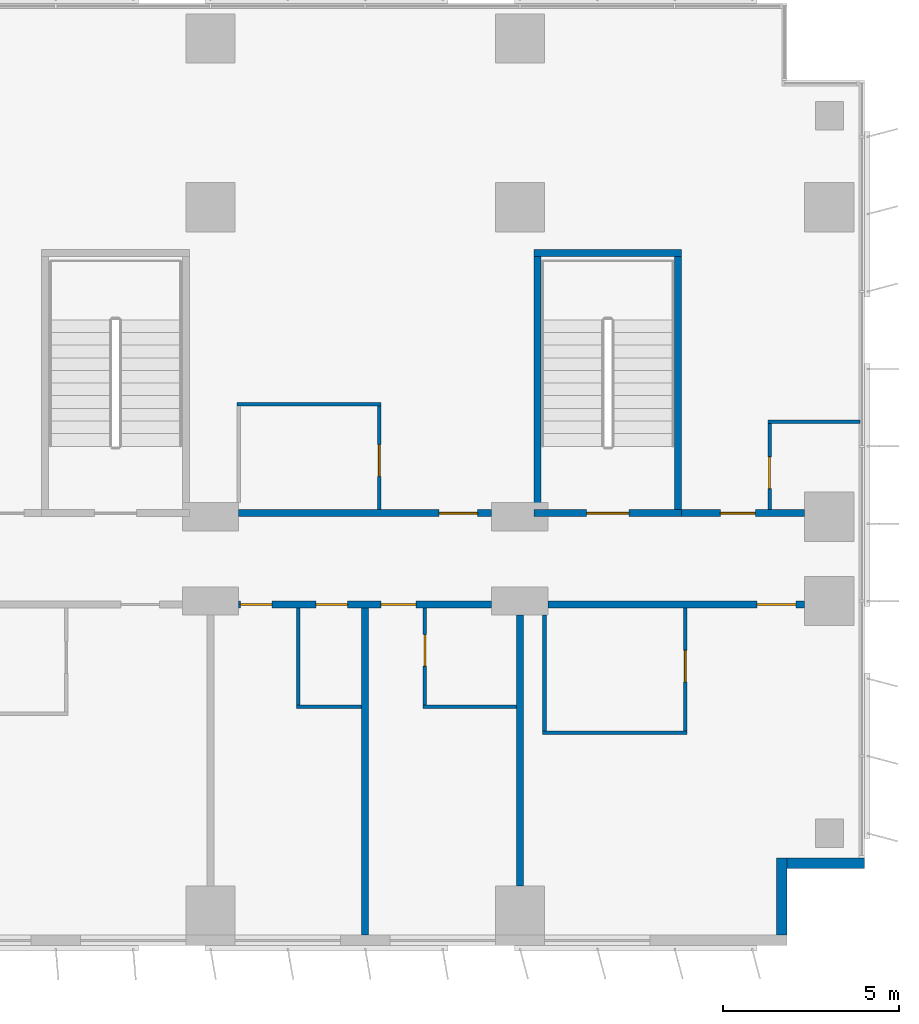
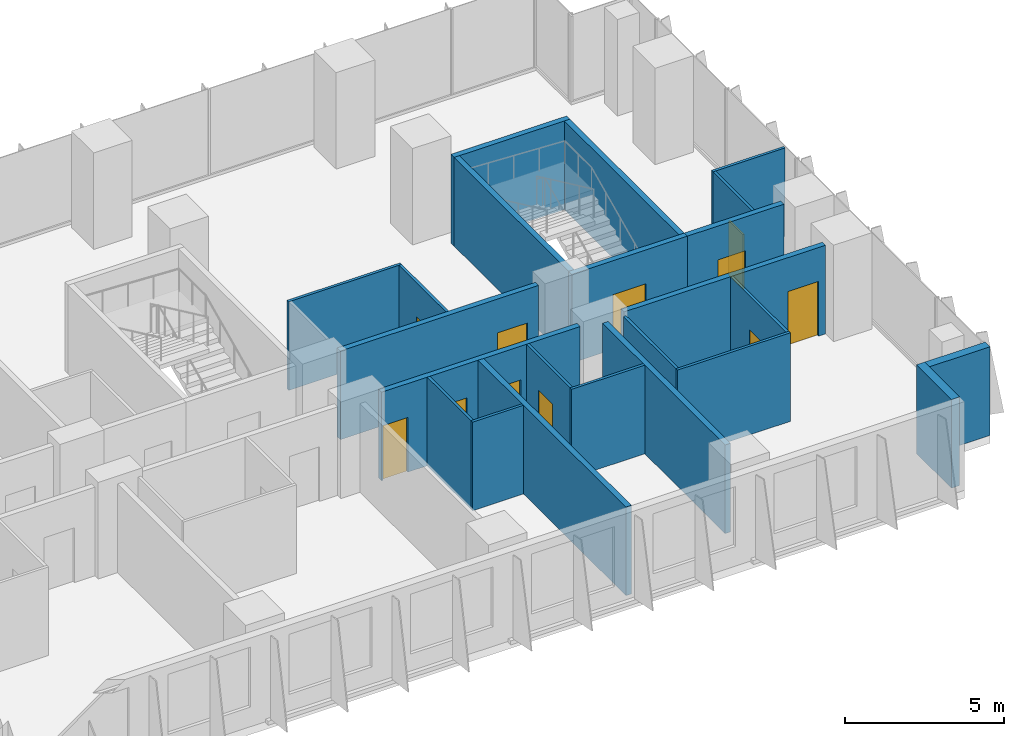
# One storey, part 18 of 24: 23 walls, 11 doors, 11 openings.
"""IFC4 building model written with IfcOpenShell, lengths in metres."""

from ifc_helpers import new_model, si_unit, direction, frame, frame_2d, origin, place, context, subcontext, project, spatial, rectangle, extrude, material, layer, layer_set, type_object, element, fill, save


model = new_model("IFC4")

# Units and contexts
model_context = context("Model", 3, precision=1e-05, world=origin(), true_north=direction((0.0, 1.0)))
body_context = subcontext(model_context, "Body", "Model", "MODEL_VIEW")
ifc_project = project(units=[si_unit("LENGTHUNIT", "METRE"), si_unit("AREAUNIT", "SQUARE_METRE"), si_unit("VOLUMEUNIT", "CUBIC_METRE"), si_unit("PLANEANGLEUNIT", "RADIAN"), si_unit("MASSUNIT", "GRAM", prefix="KILO")], contexts=[model_context])

# Site, building, storey
site_placement = place(None, origin())
site = spatial("IfcSite", under=ifc_project, at=site_placement, CompositionType="ELEMENT")
building_placement = place(site_placement, origin())
building = spatial("IfcBuilding", under=site, at=building_placement, Name="Kemantara Hotel Tower", CompositionType="ELEMENT")
storey_placement = place(building_placement, frame((0.0, 0.0, 45.10009765625)))
storey = spatial("IfcBuildingStorey", under=building, at=storey_placement, Name="L09", CompositionType="ELEMENT", Elevation=45.10009765625)

# Walls
ifc_material_1 = material(Name="Bronze anodised aluminium cladding on insulated steel stud wall", Category="steel")
ifc_layer_1 = layer(ifc_material_1, 0.300048828125)
ifc_layer_set_1 = layer_set([ifc_layer_1], Name="Bronze anodised aluminium cladding on insulated steel stud wall")
wall_type_1 = type_object("IfcWallType", Name="BRONZE METAL-CLAD EXTERNAL WALL 300", PredefinedType="STANDARD", material=ifc_layer_set_1)
for number, where, z_axis, x_axis, name in (
    (1, (78.85009765625, 0.300048828125, 0.0), (0.0, 0.0, 1.0), (0.0, 1.0, 0.0), "EXTERNAL WALL L09 T1-R02"),
    (2, (79.0, 2.35009765625, 0.0), (0.0, 0.0, 1.0), (1.0, 0.0, 0.0), "EXTERNAL WALL L09 T1-R03"),
):
    element("IfcWall", number, at=place(storey_placement, frame(where, z_axis=z_axis, x_axis=x_axis)), inside=storey, type_object=wall_type_1, Name=name, PredefinedType="STANDARD", context=body_context, shape_type="SweptSolid", body=[
        extrude(rectangle(XDim=2.199951171875, YDim=0.300048828125, at=frame_2d((1.10009765625, 0.0))), origin(), (0.0, 0.0, 1.0), 3.39990234375),
    ])

# Wall, openings, doors
ifc_material_2 = material(Name="Gypsum board partition, steel studs and mineral wool, 200 mm", Category="steel")
ifc_layer_2 = layer(ifc_material_2, 0.199951171875)
ifc_layer_set_2 = layer_set([ifc_layer_2], Name="Gypsum board partition, steel studs and mineral wool, 200 mm")
wall_type_2 = type_object("IfcWallType", Name="CORRIDOR WALL 200", PredefinedType="PARTITIONING", material=ifc_layer_set_2)
wall_1_placement = place(storey_placement, frame((70.599853515625, 9.699951171875, 0.0), z_axis=(0.0, 0.0, 1.0), x_axis=(-1.0, 0.0, 0.0)))
wall_1 = element("IfcWall", 3, at=wall_1_placement, inside=storey, type_object=wall_type_2, Name="CORRIDOR WALL 200 003", PredefinedType="PARTITIONING", context=body_context, shape_type="SweptSolid", body=[
    extrude(rectangle(XDim=7.19970703125, YDim=0.199951171875, at=frame_2d((3.599853515625, 0.0))), origin(), (0.0, 0.0, 1.0), 3.39990234375),
])
opening_1_placement = place(wall_1_placement, frame((6.25, 0.0, 0.0)))
opening_1 = element("IfcOpeningElement", 4, at=opening_1_placement, cuts=wall_1, Name="Opening F02-005", PredefinedType="OPENING", context=body_context, shape_type="SweptSolid", body=[
    extrude(rectangle(XDim=0.89990234375, YDim=2.10009765625, at=frame_2d((0.449951171875, 1.050048828125))), frame((0.0, 0.10986328125, 0.0), z_axis=(0.0, -1.0, 0.0), x_axis=(1.0, 0.0, 0.0)), (0.0, 0.0, 1.0), 0.219970703125),
])
opening_2_placement = place(wall_1_placement, frame((4.099853515625, 0.0, 0.0)))
opening_2 = element("IfcOpeningElement", 5, at=opening_2_placement, cuts=wall_1, Name="Opening F02-006", PredefinedType="OPENING", context=body_context, shape_type="SweptSolid", body=[
    extrude(rectangle(XDim=0.89990234375, YDim=2.10009765625, at=frame_2d((0.449951171875, 1.050048828125))), frame((0.0, 0.10986328125, 0.0), z_axis=(0.0, -1.0, 0.0), x_axis=(1.0, 0.0, 0.0)), (0.0, 0.0, 1.0), 0.219970703125),
])
opening_3_placement = place(wall_1_placement, frame((2.14990234375, 0.0, 0.0)))
opening_3 = element("IfcOpeningElement", 6, at=opening_3_placement, cuts=wall_1, Name="Opening F02-007", PredefinedType="OPENING", context=body_context, shape_type="SweptSolid", body=[
    extrude(rectangle(XDim=1.0, YDim=2.10009765625, at=frame_2d((0.5, 1.050048828125))), frame((0.0, 0.10986328125, 0.0), z_axis=(0.0, -1.0, 0.0), x_axis=(1.0, 0.0, 0.0)), (0.0, 0.0, 1.0), 0.219970703125),
])
ifc_material_3 = material(Name="Hardwood veneer door leaf with steel frame", Category="steel")
door_type_1 = type_object("IfcDoorType", Name="GUEST ROOM DOOR 1000 X 2100 FD30S", OperationType="NOTDEFINED", PredefinedType="DOOR", material=ifc_material_3)
door_1_placement = place(opening_3_placement, origin())
door_1 = element("IfcDoor", 7, at=door_1_placement, inside=storey, type_object=door_type_1, Name="GUEST ROOM DOOR F02-007", OperationType="SINGLE_SWING_RIGHT", OverallHeight=2.10009765625, OverallWidth=1.0, PredefinedType="DOOR", context=body_context, shape_type="SweptSolid", body=[
    extrude(rectangle(XDim=1.0, YDim=2.10009765625, at=frame_2d((0.5, 1.050048828125))), frame((0.0, 0.02490234375, 0.0), z_axis=(0.0, -1.0, 0.0), x_axis=(1.0, 0.0, 0.0)), (0.0, 0.0, 1.0), 0.050048828125),
])
fill(opening_3, door_1)
ifc_material_4 = material(Name="Steel door leaf with steel frame", Category="steel")
door_type_2 = type_object("IfcDoorType", Name="SERVICE ROOM DOOR 900 X 2100 FD60", OperationType="NOTDEFINED", PredefinedType="DOOR", material=ifc_material_4)
door_2_placement = place(opening_1_placement, origin())
door_2 = element("IfcDoor", 8, at=door_2_placement, inside=storey, type_object=door_type_2, Name="SERVICE ROOM DOOR F02-005", OperationType="SINGLE_SWING_RIGHT", OverallHeight=2.10009765625, OverallWidth=0.89990234375, PredefinedType="DOOR", context=body_context, shape_type="SweptSolid", body=[
    extrude(rectangle(XDim=0.89990234375, YDim=2.10009765625, at=frame_2d((0.449951171875, 1.050048828125))), frame((0.0, 0.02490234375, 0.0), z_axis=(0.0, -1.0, 0.0), x_axis=(1.0, 0.0, 0.0)), (0.0, 0.0, 1.0), 0.050048828125),
])
fill(opening_1, door_2)
door_3_placement = place(opening_2_placement, origin())
door_3 = element("IfcDoor", 9, at=door_3_placement, inside=storey, type_object=door_type_2, Name="SERVICE ROOM DOOR F02-006", OperationType="SINGLE_SWING_LEFT", OverallHeight=2.10009765625, OverallWidth=0.89990234375, PredefinedType="DOOR", context=body_context, shape_type="SweptSolid", body=[
    extrude(rectangle(XDim=0.89990234375, YDim=2.10009765625, at=frame_2d((0.449951171875, 1.050048828125))), frame((0.0, 0.02490234375, 0.0), z_axis=(0.0, -1.0, 0.0), x_axis=(1.0, 0.0, 0.0)), (0.0, 0.0, 1.0), 0.050048828125),
])
fill(opening_2, door_3)

# Wall, opening, door
wall_2_placement = place(storey_placement, frame((79.5, 9.699951171875, 0.0), z_axis=(0.0, 0.0, 1.0), x_axis=(-1.0, 0.0, 0.0)))
wall_2 = element("IfcWall", 10, at=wall_2_placement, inside=storey, type_object=wall_type_2, Name="CORRIDOR WALL 200 004", PredefinedType="PARTITIONING", context=body_context, shape_type="SweptSolid", body=[
    extrude(rectangle(XDim=7.2998046875, YDim=0.199951171875, at=frame_2d((3.64990234375, 0.0))), origin(), (0.0, 0.0, 1.0), 3.39990234375),
])
opening_4_placement = place(wall_2_placement, frame((0.25, 0.0, 0.0)))
opening_4 = element("IfcOpeningElement", 11, at=opening_4_placement, cuts=wall_2, Name="Opening F02-009", PredefinedType="OPENING", context=body_context, shape_type="SweptSolid", body=[
    extrude(rectangle(XDim=1.10009765625, YDim=2.10009765625, at=frame_2d((0.550048828125, 1.050048828125))), frame((0.0, 0.10986328125, 0.0), z_axis=(0.0, -1.0, 0.0), x_axis=(1.0, 0.0, 0.0)), (0.0, 0.0, 1.0), 0.219970703125),
])
door_type_3 = type_object("IfcDoorType", Name="SUITE ENTRANCE DOOR 1100 X 2100 FD30S", OperationType="NOTDEFINED", PredefinedType="DOOR", material=ifc_material_3)
door_4_placement = place(opening_4_placement, origin())
door_4 = element("IfcDoor", 12, at=door_4_placement, inside=storey, type_object=door_type_3, Name="SUITE ENTRANCE DOOR F02-009", OperationType="SINGLE_SWING_LEFT", OverallHeight=2.10009765625, OverallWidth=1.10009765625, PredefinedType="DOOR", context=body_context, shape_type="SweptSolid", body=[
    extrude(rectangle(XDim=1.10009765625, YDim=2.10009765625, at=frame_2d((0.550048828125, 1.050048828125))), frame((0.0, 0.02490234375, 0.0), z_axis=(0.0, -1.0, 0.0), x_axis=(1.0, 0.0, 0.0)), (0.0, 0.0, 1.0), 0.050048828125),
])
fill(opening_4, door_4)

wall_3_placement = place(storey_placement, frame((63.400146484375, 12.300048828125, 0.0), z_axis=(0.0, 0.0, 1.0), x_axis=(1.0, 0.0, 0.0)))
wall_3 = element("IfcWall", 13, at=wall_3_placement, inside=storey, type_object=wall_type_2, Name="CORRIDOR WALL 200 016", PredefinedType="PARTITIONING", context=body_context, shape_type="SweptSolid", body=[
    extrude(rectangle(XDim=7.19970703125, YDim=0.199951171875, at=frame_2d((3.599853515625, 0.0))), origin(), (0.0, 0.0, 1.0), 3.39990234375),
])
opening_5_placement = place(wall_3_placement, frame((5.699951171875, 0.0, 0.0)))
opening_5 = element("IfcOpeningElement", 14, at=opening_5_placement, cuts=wall_3, Name="Opening F02-021", PredefinedType="OPENING", context=body_context, shape_type="SweptSolid", body=[
    extrude(rectangle(XDim=1.10009765625, YDim=2.10009765625, at=frame_2d((0.550048828125, 1.050048828125))), frame((0.0, 0.10986328125, 0.0), z_axis=(0.0, -1.0, 0.0), x_axis=(1.0, 0.0, 0.0)), (0.0, 0.0, 1.0), 0.219970703125),
])
door_5_placement = place(opening_5_placement, origin())
door_5 = element("IfcDoor", 15, at=door_5_placement, inside=storey, type_object=door_type_3, Name="SUITE ENTRANCE DOOR F02-021", OperationType="SINGLE_SWING_RIGHT", OverallHeight=2.10009765625, OverallWidth=1.10009765625, PredefinedType="DOOR", context=body_context, shape_type="SweptSolid", body=[
    extrude(rectangle(XDim=1.10009765625, YDim=2.10009765625, at=frame_2d((0.550048828125, 1.050048828125))), frame((0.0, 0.02490234375, 0.0), z_axis=(0.0, -1.0, 0.0), x_axis=(1.0, 0.0, 0.0)), (0.0, 0.0, 1.0), 0.050048828125),
])
fill(opening_5, door_5)

wall_4_placement = place(storey_placement, frame((76.0, 12.300048828125, 0.0), z_axis=(0.0, 0.0, 1.0), x_axis=(1.0, 0.0, 0.0)))
wall_4 = element("IfcWall", 16, at=wall_4_placement, inside=storey, type_object=wall_type_2, Name="CORRIDOR WALL 200 017", PredefinedType="PARTITIONING", context=body_context, shape_type="SweptSolid", body=[
    extrude(rectangle(XDim=3.5, YDim=0.199951171875, at=frame_2d((1.75, 0.0))), origin(), (0.0, 0.0, 1.0), 3.39990234375),
])
opening_6_placement = place(wall_4_placement, frame((1.10009765625, 0.0, 0.0)))
opening_6 = element("IfcOpeningElement", 17, at=opening_6_placement, cuts=wall_4, Name="Opening F02-023", PredefinedType="OPENING", context=body_context, shape_type="SweptSolid", body=[
    extrude(rectangle(XDim=1.0, YDim=2.10009765625, at=frame_2d((0.5, 1.050048828125))), frame((0.0, 0.10986328125, 0.0), z_axis=(0.0, -1.0, 0.0), x_axis=(1.0, 0.0, 0.0)), (0.0, 0.0, 1.0), 0.219970703125),
])
door_6_placement = place(opening_6_placement, origin())
door_6 = element("IfcDoor", 18, at=door_6_placement, inside=storey, type_object=door_type_1, Name="GUEST ROOM DOOR F02-023", OperationType="SINGLE_SWING_LEFT", OverallHeight=2.10009765625, OverallWidth=1.0, PredefinedType="DOOR", context=body_context, shape_type="SweptSolid", body=[
    extrude(rectangle(XDim=1.0, YDim=2.10009765625, at=frame_2d((0.5, 1.050048828125))), frame((0.0, 0.02490234375, 0.0), z_axis=(0.0, -1.0, 0.0), x_axis=(1.0, 0.0, 0.0)), (0.0, 0.0, 1.0), 0.050048828125),
])
fill(opening_6, door_6)

ifc_material_5 = material(Name="Concrete fc 40 MPa", Category="concrete")
ifc_layer_3 = layer(ifc_material_5, 0.199951171875)
ifc_layer_set_3 = layer_set([ifc_layer_3], Name="Concrete fc 40 MPa")
wall_type_3 = type_object("IfcWallType", Name="Concrete stair wall 200 mm", PredefinedType="SHEAR", material=ifc_layer_set_3)
wall_5_placement = place(storey_placement, frame((71.800048828125, 12.300048828125, 0.0), z_axis=(0.0, 0.0, 1.0), x_axis=(1.0, 0.0, 0.0)))
wall_5 = element("IfcWall", 19, at=wall_5_placement, inside=storey, type_object=wall_type_3, Name="Stair ST5 enclosure wall with door", PredefinedType="SHEAR", context=body_context, shape_type="SweptSolid", body=[
    extrude(rectangle(XDim=4.199951171875, YDim=0.199951171875, at=frame_2d((2.10009765625, 0.0))), origin(), (0.0, 0.0, 1.0), 3.39990234375),
])
opening_7_placement = place(wall_5_placement, frame((1.5, 0.0, 0.0)))
opening_7 = element("IfcOpeningElement", 20, at=opening_7_placement, cuts=wall_5, Name="Opening ST5-C", PredefinedType="OPENING", context=body_context, shape_type="SweptSolid", body=[
    extrude(rectangle(XDim=1.199951171875, YDim=2.10009765625, at=frame_2d((0.60009765625, 1.050048828125))), frame((0.0, 0.10986328125, 0.0), z_axis=(0.0, -1.0, 0.0), x_axis=(1.0, 0.0, 0.0)), (0.0, 0.0, 1.0), 0.219970703125),
])
ifc_material_6 = material(Name="Steel fire door", Category="steel")
door_type_4 = type_object("IfcDoorType", Name="Fire door FD90 1200 x 2100", OperationType="NOTDEFINED", PredefinedType="DOOR", material=ifc_material_6)
door_7_placement = place(opening_7_placement, origin())
door_7 = element("IfcDoor", 21, at=door_7_placement, inside=storey, type_object=door_type_4, Name="Stair ST5 door", OperationType="SINGLE_SWING_RIGHT", OverallHeight=2.10009765625, OverallWidth=1.199951171875, PredefinedType="DOOR", context=body_context, shape_type="SweptSolid", body=[
    extrude(rectangle(XDim=1.199951171875, YDim=2.10009765625, at=frame_2d((0.60009765625, 1.050048828125))), frame((0.0, 0.02490234375, 0.0), z_axis=(0.0, -1.0, 0.0), x_axis=(1.0, 0.0, 0.0)), (0.0, 0.0, 1.0), 0.050048828125),
])
fill(opening_7, door_7)

# Walls
wall_6_placement = place(storey_placement, frame((71.800048828125, 19.699951171875, 0.0), z_axis=(0.0, 0.0, 1.0), x_axis=(1.0, 0.0, 0.0)))
element("IfcWall", 22, at=wall_6_placement, inside=storey, type_object=wall_type_3, Name="Stair ST5 enclosure wall N", PredefinedType="SHEAR", context=body_context, shape_type="SweptSolid", body=[
    extrude(rectangle(XDim=4.199951171875, YDim=0.199951171875, at=frame_2d((2.10009765625, 0.0))), origin(), (0.0, 0.0, 1.0), 3.39990234375),
])
for number, where, z_axis, x_axis, name in (
    (23, (71.89990234375, 12.39990234375, 0.0), (0.0, 0.0, 1.0), (0.0, 1.0, 0.0), "Stair ST5 enclosure wall W"),
    (24, (75.89990234375, 12.39990234375, 0.0), (0.0, 0.0, 1.0), (0.0, 1.0, 0.0), "Stair ST5 enclosure wall E"),
):
    element("IfcWall", number, at=place(storey_placement, frame(where, z_axis=z_axis, x_axis=x_axis)), inside=storey, type_object=wall_type_3, Name=name, PredefinedType="SHEAR", context=body_context, shape_type="SweptSolid", body=[
        extrude(rectangle(XDim=7.2001953125, YDim=0.199951171875, at=frame_2d((3.60009765625, 0.0))), origin(), (0.0, 0.0, 1.0), 3.39990234375),
    ])
ifc_layer_4 = layer(ifc_material_2, 0.199951171875)
ifc_layer_set_4 = layer_set([ifc_layer_4], Name="Gypsum board partition, steel studs and mineral wool, 200 mm")
wall_type_4 = type_object("IfcWallType", Name="GUEST ROOM PARTY WALL 200", PredefinedType="PARTITIONING", material=ifc_layer_set_4)
wall_7_placement = place(storey_placement, frame((67.0, 0.31005859375, 0.0), z_axis=(0.0, 0.0, 1.0), x_axis=(0.0, 1.0, 0.0)))
element("IfcWall", 25, at=wall_7_placement, inside=storey, type_object=wall_type_4, Name="GUEST ROOM PARTY WALL 200 009", PredefinedType="PARTITIONING", context=body_context, shape_type="SweptSolid", body=[
    extrude(rectangle(XDim=9.2900390625, YDim=0.199951171875, at=frame_2d((4.64501953125, 0.0))), origin(), (0.0, 0.0, 1.0), 3.39990234375),
])
wall_8_placement = place(storey_placement, frame((71.39990234375, 1.7001953125, 0.0), z_axis=(0.0, 0.0, 1.0), x_axis=(0.0, 1.0, 0.0)))
element("IfcWall", 26, at=wall_8_placement, inside=storey, type_object=wall_type_4, Name="GUEST ROOM PARTY WALL 200 010", PredefinedType="PARTITIONING", context=body_context, shape_type="SweptSolid", body=[
    extrude(rectangle(XDim=7.69970703125, YDim=0.199951171875, at=frame_2d((3.849853515625, 0.0))), origin(), (0.0, 0.0, 1.0), 3.39990234375),
])
ifc_material_7 = material(Name="Gypsum board partition on steel studs, 100 mm", Category="steel")
ifc_layer_5 = layer(ifc_material_7, 0.10009765625)
ifc_layer_set_5 = layer_set([ifc_layer_5], Name="Gypsum board partition on steel studs, 100 mm")
wall_type_5 = type_object("IfcWallType", Name="ROOM PARTITION 100", PredefinedType="PARTITIONING", material=ifc_layer_set_5)
wall_9_placement = place(storey_placement, frame((65.050048828125, 6.800048828125, 0.0), z_axis=(0.0, 0.0, 1.0), x_axis=(1.0, 0.0, 0.0)))
element("IfcWall", 27, at=wall_9_placement, inside=storey, type_object=wall_type_5, Name="ROOM PARTITION 100 062", PredefinedType="PARTITIONING", context=body_context, shape_type="SweptSolid", body=[
    extrude(rectangle(XDim=1.849853515625, YDim=0.10009765625, at=frame_2d((0.9248046875, 0.0))), origin(), (0.0, 0.0, 1.0), 3.39990234375),
])
wall_10_placement = place(storey_placement, frame((68.64990234375, 6.800048828125, 0.0), z_axis=(0.0, 0.0, 1.0), x_axis=(1.0, 0.0, 0.0)))
element("IfcWall", 28, at=wall_10_placement, inside=storey, type_object=wall_type_5, Name="ROOM PARTITION 100 063", PredefinedType="PARTITIONING", context=body_context, shape_type="SweptSolid", body=[
    extrude(rectangle(XDim=2.650146484375, YDim=0.10009765625, at=frame_2d((1.3251953125, 0.0))), origin(), (0.0, 0.0, 1.0), 3.39990234375),
])
wall_11_placement = place(storey_placement, frame((65.10009765625, 6.85009765625, 0.0), z_axis=(0.0, 0.0, 1.0), x_axis=(0.0, 1.0, 0.0)))
element("IfcWall", 29, at=wall_11_placement, inside=storey, type_object=wall_type_5, Name="ROOM PARTITION 100 064", PredefinedType="PARTITIONING", context=body_context, shape_type="SweptSolid", body=[
    extrude(rectangle(XDim=2.75, YDim=0.10009765625, at=frame_2d((1.375, 0.0))), origin(), (0.0, 0.0, 1.0), 3.39990234375),
])

# Wall, opening, door
wall_12_placement = place(storey_placement, frame((68.699951171875, 9.60009765625, 0.0), z_axis=(0.0, 0.0, 1.0), x_axis=(0.0, -1.0, 0.0)))
wall_12 = element("IfcWall", 30, at=wall_12_placement, inside=storey, type_object=wall_type_5, Name="ROOM PARTITION 100 065", PredefinedType="PARTITIONING", context=body_context, shape_type="SweptSolid", body=[
    extrude(rectangle(XDim=2.75, YDim=0.10009765625, at=frame_2d((1.375, 0.0))), origin(), (0.0, 0.0, 1.0), 3.39990234375),
])
opening_8_placement = place(wall_12_placement, frame((0.75, 0.0, 0.0)))
opening_8 = element("IfcOpeningElement", 31, at=opening_8_placement, cuts=wall_12, Name="Opening F02-008", PredefinedType="OPENING", context=body_context, shape_type="SweptSolid", body=[
    extrude(rectangle(XDim=0.89990234375, YDim=2.10009765625, at=frame_2d((0.449951171875, 1.050048828125))), frame((0.0, 0.06005859375, 0.0), z_axis=(0.0, -1.0, 0.0), x_axis=(1.0, 0.0, 0.0)), (0.0, 0.0, 1.0), 0.1201171875),
])
door_type_5 = type_object("IfcDoorType", Name="BATHROOM DOOR 900 X 2100", OperationType="NOTDEFINED", PredefinedType="DOOR", material=ifc_material_3)
door_8_placement = place(opening_8_placement, origin())
door_8 = element("IfcDoor", 32, at=door_8_placement, inside=storey, type_object=door_type_5, Name="BATHROOM DOOR F02-008", OperationType="SINGLE_SWING_LEFT", OverallHeight=2.10009765625, OverallWidth=0.89990234375, PredefinedType="DOOR", context=body_context, shape_type="SweptSolid", body=[
    extrude(rectangle(XDim=0.89990234375, YDim=2.10009765625, at=frame_2d((0.449951171875, 1.050048828125))), frame((0.0, 0.02490234375, 0.0), z_axis=(0.0, -1.0, 0.0), x_axis=(1.0, 0.0, 0.0)), (0.0, 0.0, 1.0), 0.050048828125),
])
fill(opening_8, door_8)

# Walls
wall_13_placement = place(storey_placement, frame((72.050048828125, 6.050048828125, 0.0), z_axis=(0.0, 0.0, 1.0), x_axis=(1.0, 0.0, 0.0)))
element("IfcWall", 33, at=wall_13_placement, inside=storey, type_object=wall_type_5, Name="ROOM PARTITION 100 066", PredefinedType="PARTITIONING", context=body_context, shape_type="SweptSolid", body=[
    extrude(rectangle(XDim=4.099853515625, YDim=0.10009765625, at=frame_2d((2.0498046875, 0.0))), origin(), (0.0, 0.0, 1.0), 3.39990234375),
])
wall_14_placement = place(storey_placement, frame((72.10009765625, 6.10009765625, 0.0), z_axis=(0.0, 0.0, 1.0), x_axis=(0.0, 1.0, 0.0)))
element("IfcWall", 34, at=wall_14_placement, inside=storey, type_object=wall_type_5, Name="ROOM PARTITION 100 067", PredefinedType="PARTITIONING", context=body_context, shape_type="SweptSolid", body=[
    extrude(rectangle(XDim=3.2998046875, YDim=0.10009765625, at=frame_2d((1.64990234375, 0.0))), origin(), (0.0, 0.0, 1.0), 3.39990234375),
])

# Wall, opening, door
wall_15_placement = place(storey_placement, frame((76.10009765625, 6.10009765625, 0.0), z_axis=(0.0, 0.0, 1.0), x_axis=(0.0, 1.0, 0.0)))
wall_15 = element("IfcWall", 35, at=wall_15_placement, inside=storey, type_object=wall_type_5, Name="ROOM PARTITION 100 068", PredefinedType="PARTITIONING", context=body_context, shape_type="SweptSolid", body=[
    extrude(rectangle(XDim=3.5, YDim=0.10009765625, at=frame_2d((1.75, 0.0))), origin(), (0.0, 0.0, 1.0), 3.39990234375),
])
opening_9_placement = place(wall_15_placement, frame((1.39990234375, 0.0, 0.0)))
opening_9 = element("IfcOpeningElement", 36, at=opening_9_placement, cuts=wall_15, Name="Opening F02-010", PredefinedType="OPENING", context=body_context, shape_type="SweptSolid", body=[
    extrude(rectangle(XDim=0.89990234375, YDim=2.10009765625, at=frame_2d((0.449951171875, 1.050048828125))), frame((0.0, 0.06005859375, 0.0), z_axis=(0.0, -1.0, 0.0), x_axis=(1.0, 0.0, 0.0)), (0.0, 0.0, 1.0), 0.1201171875),
])
door_9_placement = place(opening_9_placement, origin())
door_9 = element("IfcDoor", 37, at=door_9_placement, inside=storey, type_object=door_type_5, Name="BATHROOM DOOR F02-010", OperationType="SINGLE_SWING_RIGHT", OverallHeight=2.10009765625, OverallWidth=0.89990234375, PredefinedType="DOOR", context=body_context, shape_type="SweptSolid", body=[
    extrude(rectangle(XDim=0.89990234375, YDim=2.10009765625, at=frame_2d((0.449951171875, 1.050048828125))), frame((0.0, 0.02490234375, 0.0), z_axis=(0.0, -1.0, 0.0), x_axis=(1.0, 0.0, 0.0)), (0.0, 0.0, 1.0), 0.050048828125),
])
fill(opening_9, door_9)

# Wall
wall_16_placement = place(storey_placement, frame((63.35009765625, 15.39990234375, 0.0), z_axis=(0.0, 0.0, 1.0), x_axis=(1.0, 0.0, 0.0)))
element("IfcWall", 38, at=wall_16_placement, inside=storey, type_object=wall_type_5, Name="ROOM PARTITION 100 071", PredefinedType="PARTITIONING", context=body_context, shape_type="SweptSolid", body=[
    extrude(rectangle(XDim=4.099853515625, YDim=0.10009765625, at=frame_2d((2.0498046875, 0.0))), origin(), (0.0, 0.0, 1.0), 3.39990234375),
])

# Wall, opening, door
wall_17_placement = place(storey_placement, frame((67.39990234375, 12.39990234375, 0.0), z_axis=(0.0, 0.0, 1.0), x_axis=(0.0, 1.0, 0.0)))
wall_17 = element("IfcWall", 39, at=wall_17_placement, inside=storey, type_object=wall_type_5, Name="ROOM PARTITION 100 083", PredefinedType="PARTITIONING", context=body_context, shape_type="SweptSolid", body=[
    extrude(rectangle(XDim=2.9501953125, YDim=0.10009765625, at=frame_2d((1.47509765625, 0.0))), origin(), (0.0, 0.0, 1.0), 3.39990234375),
])
opening_10_placement = place(wall_17_placement, frame((0.949951171875, 0.0, 0.0)))
opening_10 = element("IfcOpeningElement", 40, at=opening_10_placement, cuts=wall_17, Name="Opening F02-022", PredefinedType="OPENING", context=body_context, shape_type="SweptSolid", body=[
    extrude(rectangle(XDim=0.89990234375, YDim=2.10009765625, at=frame_2d((0.449951171875, 1.050048828125))), frame((0.0, 0.06005859375, 0.0), z_axis=(0.0, -1.0, 0.0), x_axis=(1.0, 0.0, 0.0)), (0.0, 0.0, 1.0), 0.1201171875),
])
door_10_placement = place(opening_10_placement, origin())
door_10 = element("IfcDoor", 41, at=door_10_placement, inside=storey, type_object=door_type_5, Name="BATHROOM DOOR F02-022", OperationType="SINGLE_SWING_LEFT", OverallHeight=2.10009765625, OverallWidth=0.89990234375, PredefinedType="DOOR", context=body_context, shape_type="SweptSolid", body=[
    extrude(rectangle(XDim=0.89990234375, YDim=2.10009765625, at=frame_2d((0.449951171875, 1.050048828125))), frame((0.0, 0.02490234375, 0.0), z_axis=(0.0, -1.0, 0.0), x_axis=(1.0, 0.0, 0.0)), (0.0, 0.0, 1.0), 0.050048828125),
])
fill(opening_10, door_10)

# Wall
wall_18_placement = place(storey_placement, frame((78.449951171875, 14.89990234375, 0.0), z_axis=(0.0, 0.0, 1.0), x_axis=(1.0, 0.0, 0.0)))
element("IfcWall", 42, at=wall_18_placement, inside=storey, type_object=wall_type_5, Name="ROOM PARTITION 100 084", PredefinedType="PARTITIONING", context=body_context, shape_type="SweptSolid", body=[
    extrude(rectangle(XDim=2.6201171875, YDim=0.10009765625, at=frame_2d((1.31005859375, 0.0))), origin(), (0.0, 0.0, 1.0), 3.39990234375),
])

# Wall, opening, door
wall_19_placement = place(storey_placement, frame((78.5, 14.85009765625, 0.0), z_axis=(0.0, 0.0, 1.0), x_axis=(0.0, -1.0, 0.0)))
wall_19 = element("IfcWall", 43, at=wall_19_placement, inside=storey, type_object=wall_type_5, Name="ROOM PARTITION 100 085", PredefinedType="PARTITIONING", context=body_context, shape_type="SweptSolid", body=[
    extrude(rectangle(XDim=2.4501953125, YDim=0.10009765625, at=frame_2d((1.22509765625, 0.0))), origin(), (0.0, 0.0, 1.0), 3.39990234375),
])
opening_11_placement = place(wall_19_placement, frame((0.949951171875, 0.0, 0.0)))
opening_11 = element("IfcOpeningElement", 44, at=opening_11_placement, cuts=wall_19, Name="Opening F02-024", PredefinedType="OPENING", context=body_context, shape_type="SweptSolid", body=[
    extrude(rectangle(XDim=0.89990234375, YDim=2.10009765625, at=frame_2d((0.449951171875, 1.050048828125))), frame((0.0, 0.06005859375, 0.0), z_axis=(0.0, -1.0, 0.0), x_axis=(1.0, 0.0, 0.0)), (0.0, 0.0, 1.0), 0.1201171875),
])
door_11_placement = place(opening_11_placement, origin())
door_11 = element("IfcDoor", 45, at=door_11_placement, inside=storey, type_object=door_type_5, Name="BATHROOM DOOR F02-024", OperationType="SINGLE_SWING_RIGHT", OverallHeight=2.10009765625, OverallWidth=0.89990234375, PredefinedType="DOOR", context=body_context, shape_type="SweptSolid", body=[
    extrude(rectangle(XDim=0.89990234375, YDim=2.10009765625, at=frame_2d((0.449951171875, 1.050048828125))), frame((0.0, 0.02490234375, 0.0), z_axis=(0.0, -1.0, 0.0), x_axis=(1.0, 0.0, 0.0)), (0.0, 0.0, 1.0), 0.050048828125),
])
fill(opening_11, door_11)

save(model, "model.ifc")
